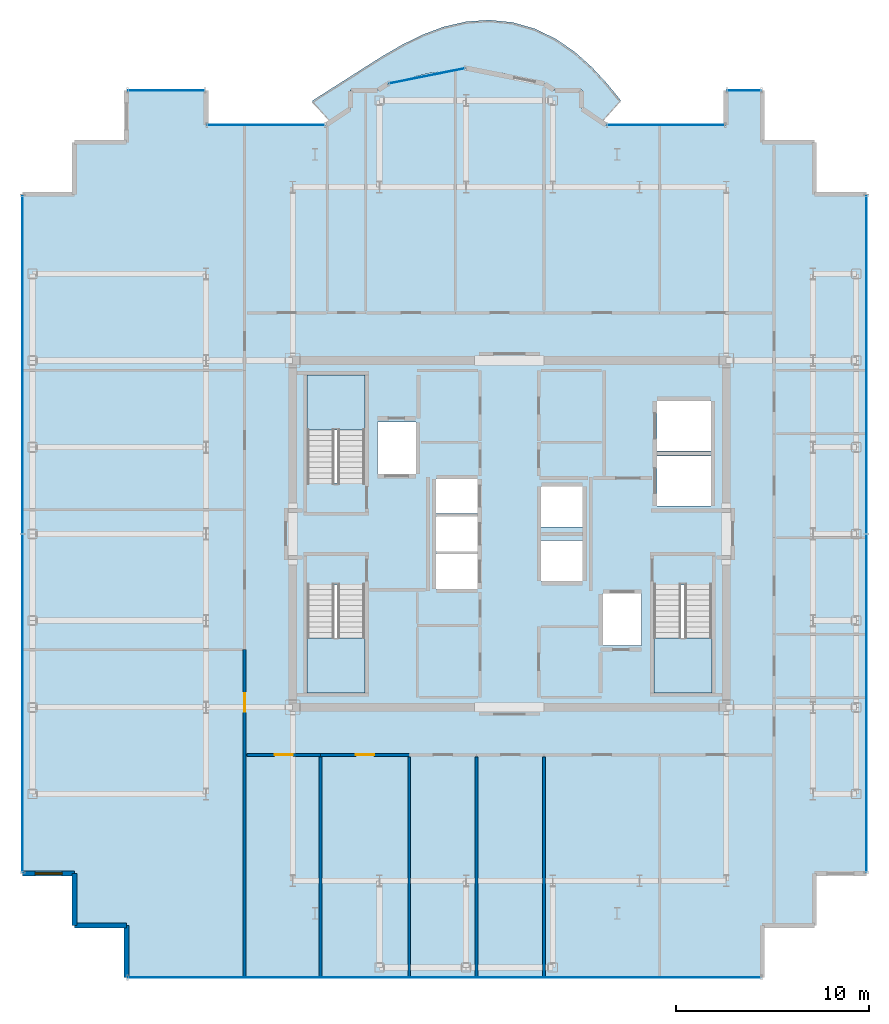
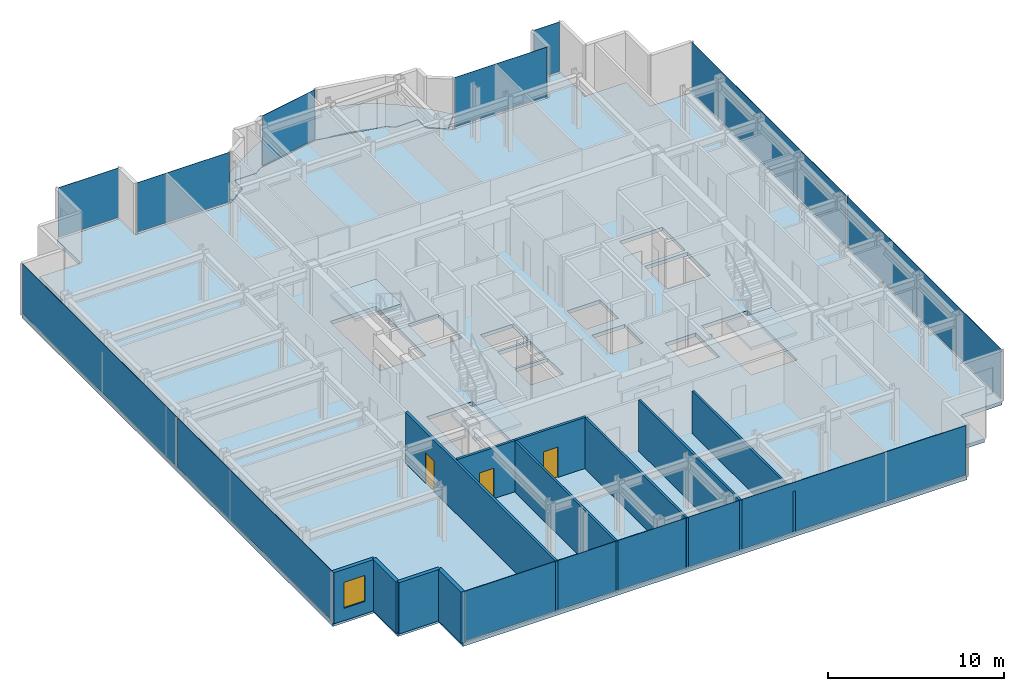
# One storey, part 12 of 18: 11 walls, 10 plates, 5 slabs, 3 doors, 1 window, 4 openings, 11 elements without a shape of their own.
"""IFC4 building model written with IfcOpenShell, lengths in metres."""

from ifc_helpers import new_model, si_unit, direction, frame, frame_2d, origin, origin_2d, place, context, subcontext, project, spatial, polyline, rectangle, outline, extrude, source, transform, mapped, material, layer, layer_set, type_object, element, fill, aggregate, save


model = new_model("IFC4")

# Units and contexts
model_context = context("Model", 3, precision=1e-05, world=origin(), true_north=direction((0.0, 1.0)))
body_context = subcontext(model_context, "Body", "Model", "MODEL_VIEW")
ifc_project = project(units=[si_unit("LENGTHUNIT", "METRE"), si_unit("AREAUNIT", "SQUARE_METRE"), si_unit("VOLUMEUNIT", "CUBIC_METRE"), si_unit("PLANEANGLEUNIT", "RADIAN"), si_unit("MASSUNIT", "GRAM", prefix="KILO")], contexts=[model_context])

# Site, building, storey
site_placement = place(None, origin())
site = spatial("IfcSite", under=ifc_project, at=site_placement, CompositionType="ELEMENT")
building_placement = place(site_placement, origin())
building = spatial("IfcBuilding", under=site, at=building_placement, Name="Nefas-Gora Pilgrimage Tower", CompositionType="ELEMENT")
storey_placement = place(building_placement, frame((0.0, 0.0, 295.0)))
storey = spatial("IfcBuildingStorey", under=building, at=storey_placement, Name="L74", CompositionType="ELEMENT", Elevation=295.0)

# Slabs
ifc_material_1 = material(Name="Concrete C40/50", Category="concrete")
ifc_layer_1 = layer(ifc_material_1, 0.22509765625)
ifc_layer_set_1 = layer_set([ifc_layer_1], Name="Concrete C40/50")
slab_type_1 = type_object("IfcSlabType", Name="SLB-BAL-P7", PredefinedType="FLOOR", material=ifc_layer_set_1)
slab_1_placement = place(storey_placement, frame((0.0, 0.0, -0.22509765625)))
element("IfcSlab", 1, at=slab_1_placement, inside=storey, type_object=slab_type_1, Name="L74 Sinusoidal Lobe Balcony Slab N (Phase 7)", PredefinedType="FLOOR", context=body_context, shape_type="SweptSolid", body=[
    extrude(outline(polyline([(-9.28759765625, 21.385986328125), (-9.224609375, 21.427978515625), (-8.538330078125, 21.9912109375), (-8.260009765625, 22.179931640625), (-8.260009765625, 23.02001953125), (-8.260009765625, 23.02099609375), (-8.259765625, 23.02197265625), (-8.259521484375, 23.02294921875), (-8.25927734375, 23.023681640625), (-8.2587890625, 23.024658203125), (-8.25830078125, 23.025634765625), (-8.2578125, 23.0263671875), (-8.257080078125, 23.027099609375), (-8.25634765625, 23.027587890625), (-8.255615234375, 23.0283203125), (-8.254638671875, 23.02880859375), (-8.25390625, 23.029296875), (-8.2529296875, 23.029541015625), (-8.251953125, 23.02978515625), (-8.2509765625, 23.030029296875), (-8.25, 23.030029296875), (-6.8271484375, 23.030029296875), (-6.31298828125, 23.37353515625), (-6.31201171875, 23.3740234375), (-6.311279296875, 23.37451171875), (-6.310302734375, 23.375), (-6.309326171875, 23.375), (-5.63037109375, 23.51025390625), (-5.102783203125, 23.685302734375), (-4.165283203125, 23.904052734375), (-3.211669921875, 24.035888671875), (-2.919921875, 24.04931640625), (-2.251953125, 24.18212890625), (-2.2509765625, 24.182373046875), (-2.25, 24.182373046875), (-2.2490234375, 24.182373046875), (-2.248046875, 24.18212890625), (-1.580078125, 24.04931640625), (-1.288330078125, 24.035888671875), (-0.334716796875, 23.904052734375), (0.602783203125, 23.685302734375), (1.13037109375, 23.51025390625), (1.809326171875, 23.375), (1.810302734375, 23.375), (1.811279296875, 23.37451171875), (1.81201171875, 23.3740234375), (1.81298828125, 23.37353515625), (2.3271484375, 23.030029296875), (3.75, 23.030029296875), (3.7509765625, 23.030029296875), (3.751953125, 23.02978515625), (3.7529296875, 23.029541015625), (3.75390625, 23.029296875), (3.754638671875, 23.02880859375), (3.755615234375, 23.0283203125), (3.75634765625, 23.027587890625), (3.757080078125, 23.027099609375), (3.7578125, 23.0263671875), (3.75830078125, 23.025634765625), (3.7587890625, 23.024658203125), (3.75927734375, 23.023681640625), (3.759521484375, 23.02294921875), (3.759765625, 23.02197265625), (3.760009765625, 23.02099609375), (3.760009765625, 23.02001953125), (3.760009765625, 22.179931640625), (4.038330078125, 21.9912109375), (4.724609375, 21.427978515625), (4.78759765625, 21.385986328125), (5.782958984375, 22.491455078125), (5.06689453125, 23.368408203125), (4.27734375, 24.2216796875), (3.392578125, 25.01220703125), (2.4033203125, 25.692138671875), (1.316650390625, 26.21630859375), (0.155517578125, 26.548583984375), (-1.046142578125, 26.6708984375), (-2.25, 26.585205078125), (-3.4208984375, 26.314208984375), (-4.53466796875, 25.896484375), (-5.580322265625, 25.37890625), (-6.563720703125, 24.807373046875), (-7.501220703125, 24.218505859375), (-8.41650390625, 23.6328125), (-9.330810546875, 23.052490234375), (-10.256591796875, 22.462158203125), (-9.28759765625, 21.385986328125)])), origin(), (0.0, 0.0, 1.0), 0.22509765625),
])
ifc_layer_2 = layer(ifc_material_1, 0.25)
ifc_layer_set_2 = layer_set([ifc_layer_2], Name="Concrete C40/50")
slab_type_2 = type_object("IfcSlabType", Name="SLB-TWR-260", PredefinedType="FLOOR", material=ifc_layer_set_2)
slab_2_placement = place(storey_placement, frame((0.0, 0.0, -0.25)))
element("IfcSlab", 2, at=slab_2_placement, inside=storey, type_object=slab_type_2, Name="L74 Structural Floor Slab", PredefinedType="FLOOR", context=body_context, shape_type="SweptSolid", body=[
    extrude(outline(polyline([(15.820068359375, -17.6201171875), (18.52001953125, -17.6201171875), (18.52001953125, 17.6201171875), (15.820068359375, 17.6201171875), (15.820068359375, 20.320068359375), (13.1201171875, 20.320068359375), (13.1201171875, 23.02001953125), (11.25, 23.02001953125), (11.25, 21.219970703125), (5.01806640625, 21.219970703125), (3.75, 22.0673828125), (3.75, 23.02001953125), (2.32421875, 23.02001953125), (1.807373046875, 23.365234375), (-2.25, 24.17236328125), (-6.307373046875, 23.365234375), (-6.82421875, 23.02001953125), (-8.25, 23.02001953125), (-8.25, 22.0673828125), (-9.51806640625, 21.219970703125), (-15.75, 21.219970703125), (-15.75, 23.02001953125), (-19.8701171875, 23.02001953125), (-19.8701171875, 20.320068359375), (-22.570068359375, 20.320068359375), (-22.570068359375, 17.6201171875), (-25.27001953125, 17.6201171875), (-25.27001953125, -17.6201171875), (-22.570068359375, -17.6201171875), (-22.570068359375, -20.320068359375), (-19.8701171875, -20.320068359375), (-19.8701171875, -23.02001953125), (13.1201171875, -23.02001953125), (13.1201171875, -20.320068359375), (15.820068359375, -20.320068359375), (15.820068359375, -17.6201171875)]), holes=[polyline([(-10.5, 2.639892578125), (-10.5, 8.25), (-7.5, 8.25), (-7.5, 2.639892578125), (-10.5, 2.639892578125)]), polyline([(10.5, -2.639892578125), (10.5, -8.25), (7.5, -8.25), (7.5, -2.639892578125), (10.5, -2.639892578125)]), polyline([(-7.5, -2.639892578125), (-7.5, -8.25), (-10.5, -8.25), (-10.5, -2.639892578125), (-7.5, -2.639892578125)]), polyline([(-6.85009765625, 5.800048828125), (-4.85009765625, 5.800048828125), (-4.85009765625, 3.10009765625), (-6.85009765625, 3.10009765625), (-6.85009765625, 5.800048828125)]), polyline([(4.85009765625, -3.10009765625), (6.85009765625, -3.10009765625), (6.85009765625, -5.800048828125), (4.85009765625, -5.800048828125), (4.85009765625, -3.10009765625)]), polyline([(7.64990234375, 4.050048828125), (10.449951171875, 4.050048828125), (10.449951171875, 1.449951171875), (7.64990234375, 1.449951171875), (7.64990234375, 4.050048828125)]), polyline([(7.64990234375, 6.89990234375), (10.449951171875, 6.89990234375), (10.449951171875, 4.300048828125), (7.64990234375, 4.300048828125), (7.64990234375, 6.89990234375)]), polyline([(-3.800048828125, -1.050048828125), (-1.64990234375, -1.050048828125), (-1.64990234375, -2.85009765625), (-3.800048828125, -2.85009765625), (-3.800048828125, -1.050048828125)]), polyline([(-3.800048828125, 0.89990234375), (-1.64990234375, 0.89990234375), (-1.64990234375, -0.89990234375), (-3.800048828125, -0.89990234375), (-3.800048828125, 0.89990234375)]), polyline([(-3.800048828125, 2.85009765625), (-1.64990234375, 2.85009765625), (-1.64990234375, 1.050048828125), (-3.800048828125, 1.050048828125), (-3.800048828125, 2.85009765625)]), polyline([(1.64990234375, -0.35009765625), (3.800048828125, -0.35009765625), (3.800048828125, -2.449951171875), (1.64990234375, -2.449951171875), (1.64990234375, -0.35009765625)]), polyline([(1.64990234375, 2.449951171875), (3.800048828125, 2.449951171875), (3.800048828125, 0.35009765625), (1.64990234375, 0.35009765625), (1.64990234375, 2.449951171875)])]), origin(), (0.0, 0.0, 1.0), 0.25),
])

# Stair, slab
ifc_material_2 = material(Name="Concrete C45/55", Category="concrete")
stair_type = type_object("IfcStairType", Name="STR-1400-R1727", PredefinedType="HALF_TURN_STAIR", material=ifc_material_2)
stair_1_placement = place(storey_placement, origin())
stair_1 = element("IfcStair", 3, at=stair_1_placement, inside=storey, type_object=stair_type, Name="L74 Pressurised Tower Exit Stair ST-01", PredefinedType="HALF_TURN_STAIR")
ifc_layer_3 = layer(ifc_material_1, 0.199951171875)
ifc_layer_set_3 = layer_set([ifc_layer_3], Name="Concrete C40/50")
slab_type_3 = type_object("IfcSlabType", Name="STR-LAND-200", PredefinedType="LANDING", material=ifc_layer_set_3)
slab_3_placement = place(storey_placement, frame((0.0, 0.0, 1.699951171875)))
slab_3 = element("IfcSlab", 4, at=slab_3_placement, type_object=slab_type_3, Name="ST-01 landing 1", PredefinedType="LANDING", context=body_context, shape_type="SweptSolid", body=[
    extrude(outline(polyline([(-7.5, 5.39990234375), (-7.5, 8.25), (-10.5, 8.25), (-10.5, 5.39990234375), (-7.5, 5.39990234375)])), origin(), (0.0, 0.0, 1.0), 0.199951171875),
])
aggregate(stair_1, [slab_3])

stair_2_placement = place(storey_placement, origin())
stair_2 = element("IfcStair", 5, at=stair_2_placement, inside=storey, type_object=stair_type, Name="L74 Pressurised Tower Exit Stair ST-02", PredefinedType="HALF_TURN_STAIR")
slab_4_placement = place(storey_placement, frame((0.0, 0.0, 1.699951171875)))
slab_4 = element("IfcSlab", 6, at=slab_4_placement, type_object=slab_type_3, Name="ST-02 landing 1", PredefinedType="LANDING", context=body_context, shape_type="SweptSolid", body=[
    extrude(outline(polyline([(7.5, -5.39990234375), (7.5, -8.25), (10.5, -8.25), (10.5, -5.39990234375), (7.5, -5.39990234375)])), origin(), (0.0, 0.0, 1.0), 0.199951171875),
])
aggregate(stair_2, [slab_4])

stair_3_placement = place(storey_placement, origin())
stair_3 = element("IfcStair", 7, at=stair_3_placement, inside=storey, type_object=stair_type, Name="L74 Pressurised Tower Exit Stair ST-03", PredefinedType="HALF_TURN_STAIR")
slab_5_placement = place(storey_placement, frame((0.0, 0.0, 1.699951171875)))
slab_5 = element("IfcSlab", 8, at=slab_5_placement, type_object=slab_type_3, Name="ST-03 landing 1", PredefinedType="LANDING", context=body_context, shape_type="SweptSolid", body=[
    extrude(outline(polyline([(-10.5, -5.39990234375), (-10.5, -8.25), (-7.5, -8.25), (-7.5, -5.39990234375), (-10.5, -5.39990234375)])), origin(), (0.0, 0.0, 1.0), 0.199951171875),
])
aggregate(stair_3, [slab_5])

# Curtain wall, plate
ifc_material_3 = material(Name="Dark ceramic-fritted solar-control aluminium-glass curtain wall", Category="aluminium")
ifc_layer_4 = layer(ifc_material_3, 0.219970703125)
ifc_layer_set_4 = layer_set([ifc_layer_4], Name="Dark ceramic-fritted solar-control aluminium-glass curtain wall")
curtain_wall_type_1 = type_object("IfcCurtainWallType", Name="CW-SYS-5", PredefinedType="NOTDEFINED", material=ifc_layer_set_4)
curtain_wall_1_placement = place(storey_placement, origin())
curtain_wall_1 = element("IfcCurtainWall", 9, at=curtain_wall_1_placement, inside=storey, type_object=curtain_wall_type_1, Name="L74 Unitised Curtain Wall CW5", PredefinedType="NOTDEFINED")
ifc_material_4 = material(Name="Dark ceramic-printed low-e insulated glass", Category="glass")
ifc_layer_5 = layer(ifc_material_4, 0.028076171875)
ifc_layer_set_5 = layer_set([ifc_layer_5], Name="Dark ceramic-printed low-e insulated glass")
plate_type_1 = type_object("IfcPlateType", Name="CWP-PNL-5", PredefinedType="CURTAIN_PANEL", material=ifc_layer_set_5)
shared_shape_1 = source(origin(), body_context, "Body", "SweptSolid", [
    extrude(rectangle(XDim=6.052001953125, YDim=0.028076171875, at=origin_2d()), origin(), (0.0, 0.0, 1.0), 3.43994140625),
])
plate_1_placement = place(storey_placement, frame((8.134033203125, 21.219970703125, 0.10009765625), z_axis=(0.0, 0.0, 1.0), x_axis=(-1.0, 0.0, 0.0)))
plate_1 = element("IfcPlate", 10, at=plate_1_placement, type_object=plate_type_1, Name="CW5 Ceramic-Fritted Glazing Panel 1", PredefinedType="CURTAIN_PANEL", context=body_context, shape_type="MappedRepresentation", body=[
    mapped(shared_shape_1, transform((0.0, 0.0, 0.0), x_axis=(1.0, 0.0, 0.0), y_axis=(0.0, 1.0, 0.0), z_axis=(0.0, 0.0, 1.0), scale=1.0)),
])
aggregate(curtain_wall_1, [plate_1])

curtain_wall_2_placement = place(storey_placement, origin())
curtain_wall_2 = element("IfcCurtainWall", 11, at=curtain_wall_2_placement, inside=storey, type_object=curtain_wall_type_1, Name="L74 Unitised Curtain Wall CW5", PredefinedType="NOTDEFINED")
plate_2_placement = place(storey_placement, frame((-12.634033203125, 21.219970703125, 0.10009765625), z_axis=(0.0, 0.0, 1.0), x_axis=(-1.0, 0.0, 0.0)))
plate_2 = element("IfcPlate", 12, at=plate_2_placement, type_object=plate_type_1, Name="CW5 Ceramic-Fritted Glazing Panel 1", PredefinedType="CURTAIN_PANEL", context=body_context, shape_type="MappedRepresentation", body=[
    mapped(shared_shape_1, transform((0.0, 0.0, 0.0), x_axis=(1.0, 0.0, 0.0), y_axis=(0.0, 1.0, 0.0), z_axis=(0.0, 0.0, 1.0), scale=1.0)),
])
aggregate(curtain_wall_2, [plate_2])

curtain_wall_3_placement = place(storey_placement, origin())
curtain_wall_3 = element("IfcCurtainWall", 13, at=curtain_wall_3_placement, inside=storey, type_object=curtain_wall_type_1, Name="L74 Unitised Curtain Wall CW5", PredefinedType="NOTDEFINED")
shared_shape_2 = source(origin(), body_context, "Body", "SweptSolid", [
    extrude(rectangle(XDim=3.956787109375, YDim=0.028076171875, at=origin_2d()), origin(), (0.0, 0.0, 1.0), 3.43994140625),
])
plate_3_placement = place(storey_placement, frame((-4.278564453125, 23.768798828125, 0.10009765625), z_axis=(0.0, 0.0, 1.0), x_axis=(-0.980782896852, -0.195102304554, 0.0)))
plate_3 = element("IfcPlate", 14, at=plate_3_placement, type_object=plate_type_1, Name="CW5 Ceramic-Fritted Glazing Panel 1", PredefinedType="CURTAIN_PANEL", context=body_context, shape_type="MappedRepresentation", body=[
    mapped(shared_shape_2, transform((0.0, 0.0, 0.0), x_axis=(1.0, 0.0, 0.0), y_axis=(0.0, 1.0, 0.0), z_axis=(0.0, 0.0, 1.0), scale=1.0)),
])
aggregate(curtain_wall_3, [plate_3])

ifc_layer_6 = layer(ifc_material_3, 0.219970703125)
ifc_layer_set_6 = layer_set([ifc_layer_6], Name="Dark ceramic-fritted solar-control aluminium-glass curtain wall")
curtain_wall_type_2 = type_object("IfcCurtainWallType", Name="CW-SYS-4", PredefinedType="NOTDEFINED", material=ifc_layer_set_6)
curtain_wall_4_placement = place(storey_placement, origin())
curtain_wall_4 = element("IfcCurtainWall", 15, at=curtain_wall_4_placement, inside=storey, type_object=curtain_wall_type_2, Name="L74 Unitised Curtain Wall CW4", PredefinedType="NOTDEFINED")
ifc_layer_7 = layer(ifc_material_4, 0.030029296875)
ifc_layer_set_7 = layer_set([ifc_layer_7], Name="Dark ceramic-printed low-e insulated glass")
plate_type_2 = type_object("IfcPlateType", Name="CWP-PNL-4", PredefinedType="CURTAIN_PANEL", material=ifc_layer_set_7)
shared_shape_3 = source(origin(), body_context, "Body", "SweptSolid", [
    extrude(rectangle(XDim=1.68994140625, YDim=0.030029296875, at=origin_2d()), origin(), (0.0, 0.0, 1.0), 3.43994140625),
])
plate_4_placement = place(storey_placement, frame((12.18505859375, 23.02001953125, 0.10009765625), z_axis=(0.0, 0.0, 1.0), x_axis=(-1.0, 0.0, 0.0)))
plate_4 = element("IfcPlate", 16, at=plate_4_placement, type_object=plate_type_2, Name="CW4 Ceramic-Fritted Glazing Panel 1", PredefinedType="CURTAIN_PANEL", context=body_context, shape_type="MappedRepresentation", body=[
    mapped(shared_shape_3, transform((0.0, 0.0, 0.0), x_axis=(1.0, 0.0, 0.0), y_axis=(0.0, 1.0, 0.0), z_axis=(0.0, 0.0, 1.0), scale=1.0)),
])
aggregate(curtain_wall_4, [plate_4])

curtain_wall_5_placement = place(storey_placement, origin())
curtain_wall_5 = element("IfcCurtainWall", 17, at=curtain_wall_5_placement, inside=storey, type_object=curtain_wall_type_2, Name="L74 Unitised Curtain Wall CW4", PredefinedType="NOTDEFINED")
shared_shape_4 = source(origin(), body_context, "Body", "SweptSolid", [
    extrude(rectangle(XDim=3.93994140625, YDim=0.030029296875, at=origin_2d()), origin(), (0.0, 0.0, 1.0), 3.43994140625),
])
plate_5_placement = place(storey_placement, frame((-17.81005859375, 23.02001953125, 0.10009765625), z_axis=(0.0, 0.0, 1.0), x_axis=(-1.0, 0.0, 0.0)))
plate_5 = element("IfcPlate", 18, at=plate_5_placement, type_object=plate_type_2, Name="CW4 Ceramic-Fritted Glazing Panel 1", PredefinedType="CURTAIN_PANEL", context=body_context, shape_type="MappedRepresentation", body=[
    mapped(shared_shape_4, transform((0.0, 0.0, 0.0), x_axis=(1.0, 0.0, 0.0), y_axis=(0.0, 1.0, 0.0), z_axis=(0.0, 0.0, 1.0), scale=1.0)),
])
aggregate(curtain_wall_5, [plate_5])

curtain_wall_6_placement = place(storey_placement, origin())
curtain_wall_6 = element("IfcCurtainWall", 19, at=curtain_wall_6_placement, inside=storey, type_object=curtain_wall_type_2, Name="L74 Unitised Curtain Wall CW4", PredefinedType="NOTDEFINED")
shared_shape_5 = source(origin(), body_context, "Body", "SweptSolid", [
    extrude(rectangle(XDim=32.81005859375, YDim=0.030029296875, at=origin_2d()), origin(), (0.0, 0.0, 1.0), 3.43994140625),
])
plate_6_placement = place(storey_placement, frame((-3.375, -23.02001953125, 0.10009765625), z_axis=(0.0, 0.0, 1.0), x_axis=(1.0, 0.0, 0.0)))
plate_6 = element("IfcPlate", 20, at=plate_6_placement, type_object=plate_type_2, Name="CW4 Ceramic-Fritted Glazing Panel 1", PredefinedType="CURTAIN_PANEL", context=body_context, shape_type="MappedRepresentation", body=[
    mapped(shared_shape_5, transform((0.0, 0.0, 0.0), x_axis=(1.0, 0.0, 0.0), y_axis=(0.0, 1.0, 0.0), z_axis=(0.0, 0.0, 1.0), scale=1.0)),
])
aggregate(curtain_wall_6, [plate_6])

# Curtain wall, plates
curtain_wall_7_placement = place(storey_placement, origin())
curtain_wall_7 = element("IfcCurtainWall", 21, at=curtain_wall_7_placement, inside=storey, type_object=curtain_wall_type_2, Name="L74 Unitised Curtain Wall CW4", PredefinedType="NOTDEFINED")
shared_shape_6 = source(origin(), body_context, "Body", "SweptSolid", [
    extrude(rectangle(XDim=17.485107421875, YDim=0.030029296875, at=origin_2d()), origin(), (0.0, 0.0, 1.0), 3.43994140625),
])
plate_7_placement = place(storey_placement, frame((18.52001953125, -8.78759765625, 0.10009765625), z_axis=(0.0, 0.0, 1.0), x_axis=(0.0, 1.0, 0.0)))
plate_7 = element("IfcPlate", 22, at=plate_7_placement, type_object=plate_type_2, Name="CW4 Ceramic-Fritted Glazing Panel 1", PredefinedType="CURTAIN_PANEL", context=body_context, shape_type="MappedRepresentation", body=[
    mapped(shared_shape_6, transform((0.0, 0.0, 0.0), x_axis=(1.0, 0.0, 0.0), y_axis=(0.0, 1.0, 0.0), z_axis=(0.0, 0.0, 1.0), scale=1.0)),
])
plate_8_placement = place(storey_placement, frame((18.52001953125, 8.78759765625, 0.10009765625), z_axis=(0.0, 0.0, 1.0), x_axis=(0.0, 1.0, 0.0)))
plate_8 = element("IfcPlate", 23, at=plate_8_placement, type_object=plate_type_2, Name="CW4 Ceramic-Fritted Glazing Panel 2", PredefinedType="CURTAIN_PANEL", context=body_context, shape_type="MappedRepresentation", body=[
    mapped(shared_shape_6, transform((0.0, 0.0, 0.0), x_axis=(1.0, 0.0, 0.0), y_axis=(0.0, 1.0, 0.0), z_axis=(0.0, 0.0, 1.0), scale=1.0)),
])
aggregate(curtain_wall_7, [plate_7, plate_8])

curtain_wall_8_placement = place(storey_placement, origin())
curtain_wall_8 = element("IfcCurtainWall", 24, at=curtain_wall_8_placement, inside=storey, type_object=curtain_wall_type_2, Name="L74 Unitised Curtain Wall CW4", PredefinedType="NOTDEFINED")
plate_9_placement = place(storey_placement, frame((-25.27001953125, 8.78759765625, 0.10009765625), z_axis=(0.0, 0.0, 1.0), x_axis=(0.0, -1.0, 0.0)))
plate_9 = element("IfcPlate", 25, at=plate_9_placement, type_object=plate_type_2, Name="CW4 Ceramic-Fritted Glazing Panel 1", PredefinedType="CURTAIN_PANEL", context=body_context, shape_type="MappedRepresentation", body=[
    mapped(shared_shape_6, transform((0.0, 0.0, 0.0), x_axis=(1.0, 0.0, 0.0), y_axis=(0.0, 1.0, 0.0), z_axis=(0.0, 0.0, 1.0), scale=1.0)),
])
plate_10_placement = place(storey_placement, frame((-25.27001953125, -8.78759765625, 0.10009765625), z_axis=(0.0, 0.0, 1.0), x_axis=(0.0, -1.0, 0.0)))
plate_10 = element("IfcPlate", 26, at=plate_10_placement, type_object=plate_type_2, Name="CW4 Ceramic-Fritted Glazing Panel 2", PredefinedType="CURTAIN_PANEL", context=body_context, shape_type="MappedRepresentation", body=[
    mapped(shared_shape_6, transform((0.0, 0.0, 0.0), x_axis=(1.0, 0.0, 0.0), y_axis=(0.0, 1.0, 0.0), z_axis=(0.0, 0.0, 1.0), scale=1.0)),
])
aggregate(curtain_wall_8, [plate_9, plate_10])

# Wall, opening, window
ifc_material_5 = material(Name="Precast concrete C45/55", Category="concrete")
ifc_layer_8 = layer(ifc_material_5, 0.239990234375)
ifc_layer_set_8 = layer_set([ifc_layer_8], Name="Precast concrete C45/55")
wall_type_1 = type_object("IfcWallType", Name="EW-SERR-240", PredefinedType="SHEAR", material=ifc_layer_set_8)
shared_shape_7 = source(origin(), body_context, "Body", "SweptSolid", [
    extrude(rectangle(XDim=2.699951171875, YDim=0.239990234375, at=frame_2d((1.35009765625, 0.0))), origin(), (0.0, 0.0, 1.0), 3.550048828125),
])
wall_1_placement = place(storey_placement, frame((-25.27001953125, -17.6201171875, 0.0), z_axis=(0.0, 0.0, 1.0), x_axis=(1.0, 0.0, 0.0)))
wall_1 = element("IfcWall", 27, at=wall_1_placement, inside=storey, type_object=wall_type_1, Name="L74 Serrated Corner Shear Pier Wall 21", PredefinedType="SHEAR", context=body_context, shape_type="MappedRepresentation", body=[
    mapped(shared_shape_7, transform((0.0, 0.0, 0.0), x_axis=(1.0, 0.0, 0.0), y_axis=(0.0, 1.0, 0.0), z_axis=(0.0, 0.0, 1.0), scale=1.0)),
])
opening_1_placement = place(wall_1_placement, frame((0.64990234375, 0.0, 0.85009765625)))
opening_1 = element("IfcOpeningElement", 28, at=opening_1_placement, cuts=wall_1, Name="Opening W-V2", PredefinedType="OPENING", context=body_context, shape_type="SweptSolid", body=[
    extrude(rectangle(XDim=1.39990234375, YDim=1.800048828125, at=frame_2d((0.699951171875, 0.89990234375))), frame((0.0, 0.1298828125, 0.0), z_axis=(0.0, -1.0, 0.0), x_axis=(1.0, 0.0, 0.0)), (0.0, 0.0, 1.0), 0.260009765625),
])
ifc_material_6 = material(Name="Dark ceramic-fritted operable aluminium-glass window", Category="aluminium")
window_type = type_object("IfcWindowType", Name="WIN-VENT-1400x1800", PartitioningType="SINGLE_PANEL", PredefinedType="WINDOW", material=ifc_material_6)
shared_shape_8 = source(origin(), body_context, "Body", "SweptSolid", [
    extrude(rectangle(XDim=1.39990234375, YDim=1.800048828125, at=frame_2d((0.699951171875, 0.89990234375))), frame((0.0, 0.030029296875, 0.0), z_axis=(0.0, -1.0, 0.0), x_axis=(1.0, 0.0, 0.0)), (0.0, 0.0, 1.0), 0.06005859375),
])
window_placement = place(opening_1_placement, origin())
window = element("IfcWindow", 29, at=window_placement, inside=storey, type_object=window_type, Name="L74 Operable Parallel-Outswing Window 21", OverallHeight=1.800048828125, OverallWidth=1.39990234375, PartitioningType="SINGLE_PANEL", PredefinedType="WINDOW", context=body_context, shape_type="MappedRepresentation", body=[
    mapped(shared_shape_8, transform((0.0, 0.0, 0.0), x_axis=(1.0, 0.0, 0.0), y_axis=(0.0, 1.0, 0.0), z_axis=(0.0, 0.0, 1.0), scale=1.0)),
])
fill(opening_1, window)

# Walls
for number, where, z_axis, x_axis, name in (
    (30, (-22.570068359375, -17.6201171875, 0.0), (0.0, 0.0, 1.0), (0.0, -1.0, 0.0), "L74 Serrated Corner Shear Pier Wall 22"),
    (31, (-22.570068359375, -20.320068359375, 0.0), (0.0, 0.0, 1.0), (1.0, 0.0, 0.0), "L74 Serrated Corner Shear Pier Wall 23"),
    (32, (-19.8701171875, -20.320068359375, 0.0), (0.0, 0.0, 1.0), (0.0, -1.0, 0.0), "L74 Serrated Corner Shear Pier Wall 24"),
):
    element("IfcWall", number, at=place(storey_placement, frame(where, z_axis=z_axis, x_axis=x_axis)), inside=storey, type_object=wall_type_1, Name=name, PredefinedType="SHEAR", context=body_context, shape_type="MappedRepresentation", body=[
        mapped(shared_shape_7, transform((0.0, 0.0, 0.0), x_axis=(1.0, 0.0, 0.0), y_axis=(0.0, 1.0, 0.0), z_axis=(0.0, 0.0, 1.0), scale=1.0)),
    ])

# Wall, opening, door
ifc_material_7 = material(Name="Gypsum acoustic stud partition")
ifc_layer_9 = layer(ifc_material_7, 0.159912109375)
ifc_layer_set_9 = layer_set([ifc_layer_9], Name="Gypsum acoustic stud partition")
wall_type_2 = type_object("IfcWallType", Name="IW-CORR-160", PredefinedType="PARTITIONING", material=ifc_layer_set_9)
shared_shape_9 = source(origin(), body_context, "Body", "SweptSolid", [
    extrude(rectangle(XDim=3.8251953125, YDim=0.159912109375, at=frame_2d((1.91259765625, 0.0))), origin(), (0.0, 0.0, 1.0), 3.534912109375),
])
wall_2_placement = place(storey_placement, frame((-13.6201171875, -11.469970703125, 0.0), z_axis=(0.0, 0.0, 1.0), x_axis=(1.0, 0.0, 0.0)))
wall_2 = element("IfcWall", 33, at=wall_2_placement, inside=storey, type_object=wall_type_2, Name="L74 Pilgrim Contemplative Lounge Partition Wall 65", PredefinedType="PARTITIONING", context=body_context, shape_type="MappedRepresentation", body=[
    mapped(shared_shape_9, transform((0.0, 0.0, 0.0), x_axis=(1.0, 0.0, 0.0), y_axis=(0.0, 1.0, 0.0), z_axis=(0.0, 0.0, 1.0), scale=1.0)),
])
opening_2_placement = place(wall_2_placement, frame((1.4375, 0.0, 0.0)))
opening_2 = element("IfcOpeningElement", 34, at=opening_2_placement, cuts=wall_2, Name="Opening ID-GR1", PredefinedType="OPENING", context=body_context, shape_type="SweptSolid", body=[
    extrude(rectangle(XDim=0.949951171875, YDim=2.10009765625, at=frame_2d((0.47509765625, 1.050048828125))), frame((0.0, 0.08984375, 0.0), z_axis=(0.0, -1.0, 0.0), x_axis=(1.0, 0.0, 0.0)), (0.0, 0.0, 1.0), 0.179931640625),
])
ifc_material_8 = material(Name="Solid core oak fire-rated guest entrance door")
door_type = type_object("IfcDoorType", Name="DR-INT-GUEST-950", OperationType="NOTDEFINED", PredefinedType="DOOR", material=ifc_material_8)
shared_shape_10 = source(origin(), body_context, "Body", "SweptSolid", [
    extrude(rectangle(XDim=0.949951171875, YDim=2.10009765625, at=frame_2d((0.47509765625, 1.050048828125))), frame((0.0, 0.02490234375, 0.0), z_axis=(0.0, -1.0, 0.0), x_axis=(1.0, 0.0, 0.0)), (0.0, 0.0, 1.0), 0.050048828125),
])
door_1_placement = place(opening_2_placement, origin())
door_1 = element("IfcDoor", 35, at=door_1_placement, inside=storey, type_object=door_type, Name="L74 Pilgrim Contemplative Lounge Door 31", OperationType="SINGLE_SWING_LEFT", OverallHeight=2.10009765625, OverallWidth=0.949951171875, PredefinedType="DOOR", context=body_context, shape_type="MappedRepresentation", body=[
    mapped(shared_shape_10, transform((0.0, 0.0, 0.0), x_axis=(1.0, 0.0, 0.0), y_axis=(0.0, 1.0, 0.0), z_axis=(0.0, 0.0, 1.0), scale=1.0)),
])
fill(opening_2, door_1)

shared_shape_11 = source(origin(), body_context, "Body", "SweptSolid", [
    extrude(rectangle(XDim=4.60986328125, YDim=0.159912109375, at=frame_2d((2.304931640625, 0.0))), origin(), (0.0, 0.0, 1.0), 3.534912109375),
])
wall_3_placement = place(storey_placement, frame((-9.804931640625, -11.469970703125, 0.0), z_axis=(0.0, 0.0, 1.0), x_axis=(1.0, 0.0, 0.0)))
wall_3 = element("IfcWall", 36, at=wall_3_placement, inside=storey, type_object=wall_type_2, Name="L74 Pilgrim Contemplative Lounge Partition Wall 67", PredefinedType="PARTITIONING", context=body_context, shape_type="MappedRepresentation", body=[
    mapped(shared_shape_11, transform((0.0, 0.0, 0.0), x_axis=(1.0, 0.0, 0.0), y_axis=(0.0, 1.0, 0.0), z_axis=(0.0, 0.0, 1.0), scale=1.0)),
])
opening_3_placement = place(wall_3_placement, frame((1.830078125, 0.0, 0.0)))
opening_3 = element("IfcOpeningElement", 37, at=opening_3_placement, cuts=wall_3, Name="Opening ID-GR1", PredefinedType="OPENING", context=body_context, shape_type="SweptSolid", body=[
    extrude(rectangle(XDim=0.949951171875, YDim=2.10009765625, at=frame_2d((0.47509765625, 1.050048828125))), frame((0.0, 0.08984375, 0.0), z_axis=(0.0, -1.0, 0.0), x_axis=(1.0, 0.0, 0.0)), (0.0, 0.0, 1.0), 0.179931640625),
])
door_2_placement = place(opening_3_placement, origin())
door_2 = element("IfcDoor", 38, at=door_2_placement, inside=storey, type_object=door_type, Name="L74 Pilgrim Contemplative Lounge Door 32", OperationType="SINGLE_SWING_RIGHT", OverallHeight=2.10009765625, OverallWidth=0.949951171875, PredefinedType="DOOR", context=body_context, shape_type="MappedRepresentation", body=[
    mapped(shared_shape_10, transform((0.0, 0.0, 0.0), x_axis=(1.0, 0.0, 0.0), y_axis=(0.0, 1.0, 0.0), z_axis=(0.0, 0.0, 1.0), scale=1.0)),
])
fill(opening_3, door_2)

# Walls
ifc_material_9 = material(Name="Gypsum twin-stud partition")
ifc_layer_10 = layer(ifc_material_9, 0.139892578125)
ifc_layer_set_10 = layer_set([ifc_layer_10], Name="Gypsum twin-stud partition")
wall_type_3 = type_object("IfcWallType", Name="IW-UNIT-140", PredefinedType="PARTITIONING", material=ifc_layer_set_10)
shared_shape_12 = source(origin(), body_context, "Body", "SweptSolid", [
    extrude(rectangle(XDim=11.449951171875, YDim=0.139892578125, at=frame_2d((5.72509765625, 0.0))), origin(), (0.0, 0.0, 1.0), 3.534912109375),
])
for number, where, z_axis, x_axis, name in (
    (39, (-9.804931640625, -23.0400390625, 0.0), (0.0, 0.0, 1.0), (0.0, 1.0, 0.0), "L74 Pilgrim Contemplative Lounge Partition Wall 66"),
    (40, (-5.205078125, -23.0400390625, 0.0), (0.0, 0.0, 1.0), (0.0, 1.0, 0.0), "L74 Pilgrim Contemplative Lounge Partition Wall 68"),
    (41, (-1.7099609375, -23.0400390625, 0.0), (0.0, 0.0, 1.0), (0.0, 1.0, 0.0), "L74 Pilgrim Contemplative Lounge Partition Wall 70"),
):
    element("IfcWall", number, at=place(storey_placement, frame(where, z_axis=z_axis, x_axis=x_axis)), inside=storey, type_object=wall_type_3, Name=name, PredefinedType="PARTITIONING", context=body_context, shape_type="MappedRepresentation", body=[
        mapped(shared_shape_12, transform((0.0, 0.0, 0.0), x_axis=(1.0, 0.0, 0.0), y_axis=(0.0, 1.0, 0.0), z_axis=(0.0, 0.0, 1.0), scale=1.0)),
    ])
shared_shape_13 = source(origin(), body_context, "Body", "SweptSolid", [
    extrude(rectangle(XDim=11.449951171875, YDim=0.139892578125, at=frame_2d((5.72509765625, 0.0))), origin(), (0.0, 0.0, 1.0), 2.925048828125),
])
wall_4_placement = place(storey_placement, frame((1.794921875, -23.0400390625, 0.0), z_axis=(0.0, 0.0, 1.0), x_axis=(0.0, 1.0, 0.0)))
element("IfcWall", 42, at=wall_4_placement, inside=storey, type_object=wall_type_3, Name="L74 Pilgrim Contemplative Lounge Partition Wall 72", PredefinedType="PARTITIONING", context=body_context, shape_type="MappedRepresentation", body=[
    mapped(shared_shape_13, transform((0.0, 0.0, 0.0), x_axis=(1.0, 0.0, 0.0), y_axis=(0.0, 1.0, 0.0), z_axis=(0.0, 0.0, 1.0), scale=1.0)),
])

# Wall, opening, door
shared_shape_14 = source(origin(), body_context, "Body", "SweptSolid", [
    extrude(rectangle(XDim=17.044921875, YDim=0.159912109375, at=frame_2d((8.5224609375, 0.0))), origin(), (0.0, 0.0, 1.0), 3.534912109375),
])
wall_5_placement = place(storey_placement, frame((-13.739990234375, -23.0400390625, 0.0), z_axis=(0.0, 0.0, 1.0), x_axis=(0.0, 1.0, 0.0)))
wall_5 = element("IfcWall", 43, at=wall_5_placement, inside=storey, type_object=wall_type_2, Name="L74 Pilgrim Tea and Beverage Pantry Partition Wall 39", PredefinedType="PARTITIONING", context=body_context, shape_type="MappedRepresentation", body=[
    mapped(shared_shape_14, transform((0.0, 0.0, 0.0), x_axis=(1.0, 0.0, 0.0), y_axis=(0.0, 1.0, 0.0), z_axis=(0.0, 0.0, 1.0), scale=1.0)),
])
opening_4_placement = place(wall_5_placement, frame((13.8125, 0.0, 0.0)))
opening_4 = element("IfcOpeningElement", 44, at=opening_4_placement, cuts=wall_5, Name="Opening ID-GR1", PredefinedType="OPENING", context=body_context, shape_type="SweptSolid", body=[
    extrude(rectangle(XDim=0.949951171875, YDim=2.10009765625, at=frame_2d((0.47509765625, 1.050048828125))), frame((0.0, 0.08984375, 0.0), z_axis=(0.0, -1.0, 0.0), x_axis=(1.0, 0.0, 0.0)), (0.0, 0.0, 1.0), 0.179931640625),
])
door_3_placement = place(opening_4_placement, origin())
door_3 = element("IfcDoor", 45, at=door_3_placement, inside=storey, type_object=door_type, Name="L74 Pilgrim Tea and Beverage Pantry Door 16", OperationType="SINGLE_SWING_RIGHT", OverallHeight=2.10009765625, OverallWidth=0.949951171875, PredefinedType="DOOR", context=body_context, shape_type="MappedRepresentation", body=[
    mapped(shared_shape_10, transform((0.0, 0.0, 0.0), x_axis=(1.0, 0.0, 0.0), y_axis=(0.0, 1.0, 0.0), z_axis=(0.0, 0.0, 1.0), scale=1.0)),
])
fill(opening_4, door_3)

save(model, "model.ifc")
